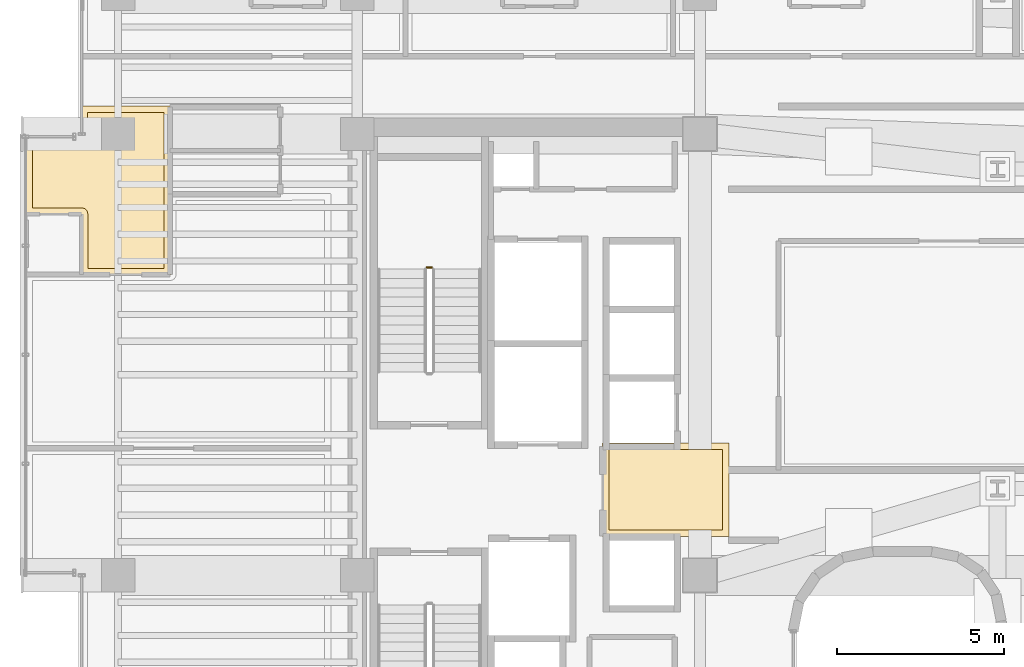
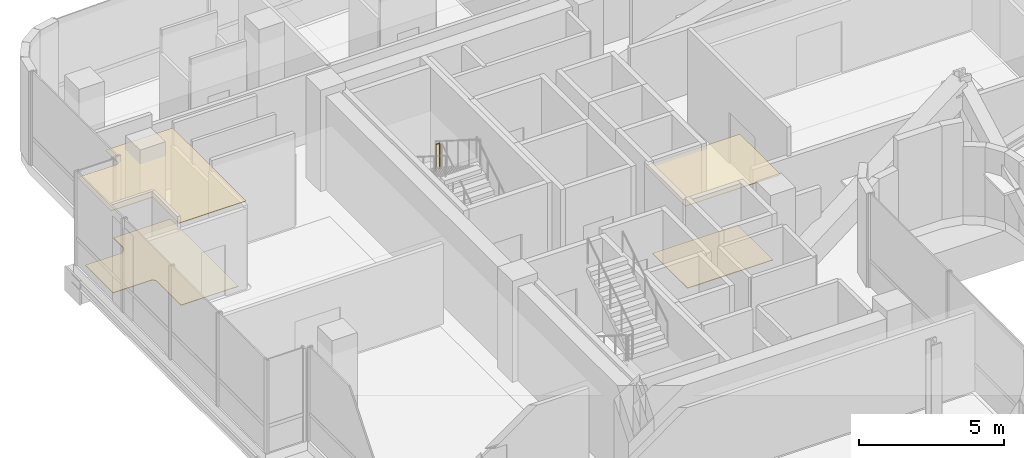
# One storey, part 33 of 37: 4 coverings, 1 railing.
"""IFC4 building model written with IfcOpenShell, lengths in metres."""

from ifc_helpers import new_model, si_unit, direction, frame, origin, origin_2d, place, context, subcontext, project, spatial, polyline, circle, outline, extrude, material, layer, layer_set, type_object, element, save


model = new_model("IFC4")

# Units and contexts
model_context = context("Model", 3, precision=1e-05, world=origin(), true_north=direction((0.0, 1.0)))
body_context = subcontext(model_context, "Body", "Model", "MODEL_VIEW")
ifc_project = project(units=[si_unit("LENGTHUNIT", "METRE"), si_unit("AREAUNIT", "SQUARE_METRE"), si_unit("VOLUMEUNIT", "CUBIC_METRE"), si_unit("PLANEANGLEUNIT", "RADIAN"), si_unit("MASSUNIT", "GRAM", prefix="KILO")], contexts=[model_context])

# Site, building, storey
site_placement = place(None, origin())
site = spatial("IfcSite", under=ifc_project, at=site_placement, CompositionType="ELEMENT")
building_placement = place(site_placement, origin())
building = spatial("IfcBuilding", under=site, at=building_placement, Name="Valdorenza Pilgrim Sanctuary Tower", CompositionType="ELEMENT")
storey_placement = place(building_placement, frame((0.0, 0.0, 172.300048828125)))
storey = spatial("IfcBuildingStorey", under=building, at=storey_placement, Name="L44", CompositionType="ELEMENT", Elevation=172.300048828125)

# Coverings
ifc_material_1 = material(Name="Micro-perforated acoustic mineral ceiling tile", Category="gypsum")
ifc_layer_1 = layer(ifc_material_1, 0.02490234375, Name="Micro-perforated acoustic mineral ceiling tile")
ifc_layer_set_1 = layer_set([ifc_layer_1], Name="Micro-perforated acoustic mineral ceiling tile")
covering_type_1 = type_object("IfcCoveringType", Name="COV-CLG-ACU", PredefinedType="CEILING", material=ifc_layer_set_1)
covering_1_placement = place(storey_placement, frame((0.0, 0.0, 3.6298828125)))
element("IfcCovering", 1, at=covering_1_placement, inside=storey, type_object=covering_type_1, Name="L44 Core A Passenger Lift Lobby Acoustic Ceiling", PredefinedType="CEILING", context=body_context, shape_type="SweptSolid", body=[
    extrude(outline(polyline([(-15.31298828125, 1.244384765625), (-15.31298828125, 1.24462890625), (-15.313720703125, 1.24609375), (-15.314208984375, 1.24755859375), (-15.314697265625, 1.2490234375), (-15.31494140625, 1.25048828125), (-15.31494140625, 1.251953125), (-15.31494140625, 1.35009765625), (-15.31494140625, 1.3515625), (-15.314697265625, 1.352783203125), (-15.314453125, 1.3544921875), (-15.31396484375, 1.355712890625), (-15.313232421875, 1.357177734375), (-15.3125, 1.3583984375), (-15.3115234375, 1.359619140625), (-15.310546875, 1.360595703125), (-15.3095703125, 1.361572265625), (-15.308349609375, 1.362548828125), (-15.30712890625, 1.36328125), (-15.3056640625, 1.364013671875), (-15.304443359375, 1.364501953125), (-15.302978515625, 1.36474609375), (-15.301513671875, 1.364990234375), (-15.300048828125, 1.364990234375), (-15.10205078125, 1.364990234375), (-15.1005859375, 1.364990234375), (-15.09912109375, 1.36474609375), (-15.097412109375, 1.3642578125), (-15.09619140625, 1.36376953125), (-15.0947265625, 1.363037109375), (-15.094482421875, 1.363037109375), (-13.185546875, 1.363037109375), (-13.185302734375, 1.363037109375), (-13.183837890625, 1.36376953125), (-13.1826171875, 1.3642578125), (-13.180908203125, 1.36474609375), (-13.179443359375, 1.364990234375), (-13.177978515625, 1.364990234375), (-11.550048828125, 1.364990234375), (-11.548583984375, 1.364990234375), (-11.547119140625, 1.36474609375), (-11.545654296875, 1.364501953125), (-11.544189453125, 1.364013671875), (-11.54296875, 1.36328125), (-11.541748046875, 1.362548828125), (-11.54052734375, 1.361572265625), (-11.539306640625, 1.360595703125), (-11.538330078125, 1.359619140625), (-11.53759765625, 1.3583984375), (-11.536865234375, 1.357177734375), (-11.5361328125, 1.355712890625), (-11.53564453125, 1.3544921875), (-11.535400390625, 1.352783203125), (-11.53515625, 1.3515625), (-11.534912109375, 1.35009765625), (-11.534912109375, -1.419921875), (-11.53515625, -1.42138671875), (-11.535400390625, -1.4228515625), (-11.53564453125, -1.42431640625), (-11.5361328125, -1.42578125), (-11.536865234375, -1.427001953125), (-11.53759765625, -1.42822265625), (-11.538330078125, -1.429443359375), (-11.539306640625, -1.4306640625), (-11.54052734375, -1.431640625), (-11.541748046875, -1.4326171875), (-11.54296875, -1.43310546875), (-11.544189453125, -1.433837890625), (-11.545654296875, -1.434326171875), (-11.547119140625, -1.434814453125), (-11.548583984375, -1.434814453125), (-11.550048828125, -1.43505859375), (-15.298095703125, -1.43505859375), (-15.299560546875, -1.434814453125), (-15.30078125, -1.434814453125), (-15.302490234375, -1.434326171875), (-15.3037109375, -1.433837890625), (-15.30517578125, -1.43310546875), (-15.306396484375, -1.4326171875), (-15.3076171875, -1.431640625), (-15.30859375, -1.4306640625), (-15.3095703125, -1.429443359375), (-15.310546875, -1.42822265625), (-15.311279296875, -1.427001953125), (-15.31201171875, -1.42578125), (-15.3125, -1.42431640625), (-15.312744140625, -1.4228515625), (-15.31298828125, -1.42138671875), (-15.31298828125, -1.419921875), (-15.31298828125, 1.244384765625)])), origin(), (0.0, 0.0, 1.0), 0.025146484375),
])
covering_2_placement = place(storey_placement, frame((0.0, 0.0, 3.6298828125)))
element("IfcCovering", 2, at=covering_2_placement, inside=storey, type_object=covering_type_1, Name="L44 Pilgrim Guest Room L44-CN1 Acoustic Ceiling", PredefinedType="CEILING", context=body_context, shape_type="SweptSolid", body=[
    extrude(outline(polyline([(-30.903076171875, 8.194091796875), (-32.5400390625, 8.194091796875), (-32.54150390625, 8.194091796875), (-32.54296875, 8.1943359375), (-32.54443359375, 8.194580078125), (-32.545654296875, 8.195068359375), (-32.547119140625, 8.19580078125), (-32.54833984375, 8.196533203125), (-32.549560546875, 8.197509765625), (-32.550537109375, 8.198486328125), (-32.551513671875, 8.199462890625), (-32.552490234375, 8.20068359375), (-32.55322265625, 8.201904296875), (-32.553955078125, 8.203369140625), (-32.554443359375, 8.20458984375), (-32.5546875, 8.2060546875), (-32.554931640625, 8.20751953125), (-32.554931640625, 8.208984375), (-32.554931640625, 10.489990234375), (-32.554931640625, 10.491455078125), (-32.5546875, 10.492919921875), (-32.554443359375, 10.494384765625), (-32.553955078125, 10.49560546875), (-32.55322265625, 10.4970703125), (-32.552490234375, 10.498291015625), (-32.551513671875, 10.49951171875), (-32.550537109375, 10.50048828125), (-32.549560546875, 10.501708984375), (-32.54833984375, 10.50244140625), (-32.547119140625, 10.503173828125), (-32.545654296875, 10.50390625), (-32.54443359375, 10.50439453125), (-32.54296875, 10.504638671875), (-32.54150390625, 10.5048828125), (-32.5400390625, 10.5048828125), (-31.00048828125, 10.5048828125), (-30.99072265625, 10.505615234375), (-30.9814453125, 10.5068359375), (-30.972412109375, 10.509033203125), (-30.963623046875, 10.51220703125), (-30.955078125, 10.51611328125), (-30.947265625, 10.52099609375), (-30.939697265625, 10.526611328125), (-30.932861328125, 10.53271484375), (-30.926513671875, 10.539794921875), (-30.9208984375, 10.547119140625), (-30.916259765625, 10.55517578125), (-30.912109375, 10.563720703125), (-30.9091796875, 10.572509765625), (-30.90673828125, 10.58154296875), (-30.905517578125, 10.5908203125), (-30.905029296875, 10.600341796875), (-30.905029296875, 11.419921875), (-30.90478515625, 11.42138671875), (-30.90478515625, 11.4228515625), (-30.904296875, 11.42431640625), (-30.90380859375, 11.42578125), (-30.9033203125, 11.427001953125), (-30.902587890625, 11.42822265625), (-30.901611328125, 11.429443359375), (-30.900634765625, 11.4306640625), (-30.8994140625, 11.431640625), (-30.898193359375, 11.4326171875), (-30.897216796875, 11.43310546875), (-30.895751953125, 11.433837890625), (-30.894287109375, 11.434326171875), (-30.892822265625, 11.434814453125), (-30.8916015625, 11.434814453125), (-30.889892578125, 11.43505859375), (-28.25, 11.43505859375), (-28.24853515625, 11.434814453125), (-28.2470703125, 11.434814453125), (-28.24560546875, 11.434326171875), (-28.244384765625, 11.433837890625), (-28.242919921875, 11.43310546875), (-28.24169921875, 11.4326171875), (-28.240478515625, 11.431640625), (-28.239501953125, 11.4306640625), (-28.23828125, 11.429443359375), (-28.237548828125, 11.42822265625), (-28.23681640625, 11.427001953125), (-28.236083984375, 11.42578125), (-28.235595703125, 11.42431640625), (-28.2353515625, 11.4228515625), (-28.235107421875, 11.42138671875), (-28.235107421875, 11.419921875), (-28.235107421875, 11.402099609375), (-28.235107421875, 11.400390625), (-28.2353515625, 11.39892578125), (-28.235595703125, 11.3974609375), (-28.236083984375, 11.39599609375), (-28.23681640625, 11.394775390625), (-28.237060546875, 11.39453125), (-28.237060546875, 10.103759765625), (-28.23681640625, 10.10302734375), (-28.23681640625, 10.1015625), (-28.23681640625, 10.10009765625), (-28.23681640625, 10.098388671875), (-28.237060546875, 10.09814453125), (-28.237060546875, 8.805419921875), (-28.23681640625, 8.805419921875), (-28.236083984375, 8.803955078125), (-28.235595703125, 8.802490234375), (-28.2353515625, 8.801025390625), (-28.235107421875, 8.799560546875), (-28.235107421875, 8.798095703125), (-28.235107421875, 6.39990234375), (-28.235107421875, 6.3984375), (-28.2353515625, 6.397216796875), (-28.235595703125, 6.3955078125), (-28.236083984375, 6.394287109375), (-28.23681640625, 6.392822265625), (-28.237548828125, 6.3916015625), (-28.23828125, 6.390380859375), (-28.239501953125, 6.389404296875), (-28.240478515625, 6.388427734375), (-28.24169921875, 6.387451171875), (-28.242919921875, 6.38671875), (-28.244384765625, 6.385986328125), (-28.24560546875, 6.385498046875), (-28.2470703125, 6.38525390625), (-28.24853515625, 6.385009765625), (-28.25, 6.385009765625), (-30.887939453125, 6.385009765625), (-30.889404296875, 6.385009765625), (-30.890869140625, 6.38525390625), (-30.892333984375, 6.385498046875), (-30.893798828125, 6.385986328125), (-30.89501953125, 6.38671875), (-30.896240234375, 6.387451171875), (-30.8974609375, 6.388427734375), (-30.898681640625, 6.389404296875), (-30.899658203125, 6.390380859375), (-30.900390625, 6.3916015625), (-30.901123046875, 6.392822265625), (-30.90185546875, 6.394287109375), (-30.90234375, 6.3955078125), (-30.902587890625, 6.397216796875), (-30.90283203125, 6.3984375), (-30.903076171875, 6.39990234375), (-30.903076171875, 8.194091796875)])), origin(), (0.0, 0.0, 1.0), 0.025146484375),
])
ifc_material_2 = material(Name="Engineered European oak timber flooring", Category="wood")
ifc_layer_2 = layer(ifc_material_2, 0.02197265625, Name="Engineered European oak timber flooring")
ifc_layer_set_2 = layer_set([ifc_layer_2], Name="Engineered European oak timber flooring")
covering_type_2 = type_object("IfcCoveringType", Name="COV-FLR-OAK", PredefinedType="FLOORING", material=ifc_layer_set_2)
covering_3_placement = place(storey_placement, origin())
element("IfcCovering", 3, at=covering_3_placement, inside=storey, type_object=covering_type_2, Name="L44 Pilgrim Guest Room L44-CN1 Flooring", PredefinedType="FLOORING", context=body_context, shape_type="SweptSolid", body=[
    extrude(outline(polyline([(-28.431884765625, 11.239990234375), (-28.431884765625, 10.10205078125), (-28.431884765625, 10.10107421875), (-28.431884765625, 10.100341796875), (-28.431884765625, 10.10009765625), (-28.431884765625, 8.800048828125), (-28.43017578125, 6.580078125), (-30.7080078125, 6.580078125), (-30.7080078125, 8.20703125), (-30.708251953125, 8.2158203125), (-30.708251953125, 8.216064453125), (-30.7099609375, 8.233642578125), (-30.7099609375, 8.23388671875), (-30.71337890625, 8.251220703125), (-30.71337890625, 8.251220703125), (-30.718505859375, 8.268310546875), (-30.71875, 8.268310546875), (-30.725341796875, 8.28466796875), (-30.7255859375, 8.284912109375), (-30.73388671875, 8.300537109375), (-30.73388671875, 8.300537109375), (-30.743896484375, 8.315185546875), (-30.743896484375, 8.3154296875), (-30.755126953125, 8.3291015625), (-30.755126953125, 8.329345703125), (-30.767578125, 8.341796875), (-30.767822265625, 8.341796875), (-30.781494140625, 8.35302734375), (-30.78173828125, 8.353271484375), (-30.79638671875, 8.363037109375), (-30.79638671875, 8.36328125), (-30.81201171875, 8.37158203125), (-30.812255859375, 8.37158203125), (-30.82861328125, 8.37841796875), (-30.828857421875, 8.37841796875), (-30.845703125, 8.383544921875), (-30.845947265625, 8.383544921875), (-30.86328125, 8.386962890625), (-30.86328125, 8.386962890625), (-30.881103515625, 8.388916015625), (-30.881103515625, 8.388916015625), (-30.889892578125, 8.388916015625), (-32.360107421875, 8.388916015625), (-32.360107421875, 10.31005859375), (-31.0, 10.31005859375), (-30.9912109375, 10.310302734375), (-30.98046875, 10.310791015625), (-30.962890625, 10.3125), (-30.9521484375, 10.314208984375), (-30.934814453125, 10.3173828125), (-30.92431640625, 10.320068359375), (-30.907470703125, 10.3251953125), (-30.897216796875, 10.328857421875), (-30.880859375, 10.335693359375), (-30.87109375, 10.34033203125), (-30.855712890625, 10.3486328125), (-30.84619140625, 10.35400390625), (-30.831787109375, 10.364013671875), (-30.822998046875, 10.370361328125), (-30.809326171875, 10.381591796875), (-30.80126953125, 10.388916015625), (-30.788818359375, 10.4013671875), (-30.781494140625, 10.4091796875), (-30.7705078125, 10.423095703125), (-30.763916015625, 10.431640625), (-30.754150390625, 10.4462890625), (-30.74853515625, 10.45556640625), (-30.740234375, 10.47119140625), (-30.735595703125, 10.48095703125), (-30.72900390625, 10.497314453125), (-30.725341796875, 10.50732421875), (-30.72021484375, 10.5244140625), (-30.717529296875, 10.534912109375), (-30.714111328125, 10.552001953125), (-30.71240234375, 10.562744140625), (-30.710693359375, 10.580322265625), (-30.710205078125, 10.59130859375), (-30.7099609375, 10.60009765625), (-30.7099609375, 11.239990234375), (-28.431884765625, 11.239990234375)])), origin(), (0.0, 0.0, 1.0), 0.02490234375),
])
ifc_material_3 = material(Name="Honed travertine stone flooring", Category="masonry")
ifc_layer_3 = layer(ifc_material_3, 0.030029296875, Name="Honed travertine stone flooring")
ifc_layer_set_3 = layer_set([ifc_layer_3], Name="Honed travertine stone flooring")
covering_type_3 = type_object("IfcCoveringType", Name="COV-FLR-TRV", PredefinedType="FLOORING", material=ifc_layer_set_3)
covering_4_placement = place(storey_placement, origin())
element("IfcCovering", 4, at=covering_4_placement, inside=storey, type_object=covering_type_3, Name="L44 Core A Passenger Lift Lobby Flooring", PredefinedType="FLOORING", context=body_context, shape_type="SweptSolid", body=[
    extrude(outline(polyline([(-15.117919921875, 1.169189453125), (-15.10888671875, 1.168212890625), (-15.10888671875, 1.168212890625), (-15.10009765625, 1.16796875), (-13.179931640625, 1.16796875), (-13.1796875, 1.16796875), (-11.72998046875, 1.169921875), (-11.72998046875, -1.239990234375), (-15.117919921875, -1.239990234375), (-15.117919921875, 1.169189453125)])), origin(), (0.0, 0.0, 1.0), 0.02490234375),
])

# Railing
ifc_material_4 = material(Name="Stainless steel Grade 316", Category="steel")
railing_type = type_object("IfcRailingType", Name="RLG-GRD-1120", PredefinedType="GUARDRAIL", material=ifc_material_4)
railing_placement = place(storey_placement, frame((-20.419921875, 6.610107421875, 2.125)))
element("IfcRailing", 5, at=railing_placement, inside=storey, type_object=railing_type, Name="L44 ST-A1 stair guard 2", PredefinedType="GUARDRAIL", context=body_context, shape_type="SweptSolid", body=[
    extrude(circle(Radius=0.02392578125, at=origin_2d()), frame((0.0, 0.0, 1.076171875), z_axis=(-1.0, 0.0, 0.0), x_axis=(0.0, -1.0, 0.0)), (0.0, 0.0, 1.0), 0.150146484375),
    extrude(circle(Radius=0.02099609375, at=origin_2d()), origin(), (0.0, 0.0, 1.0), 1.052001953125),
    extrude(circle(Radius=0.02099609375, at=origin_2d()), frame((-0.150146484375, 0.0, 0.0)), (0.0, 0.0, 1.0), 1.052001953125),
])

save(model, "model.ifc")
